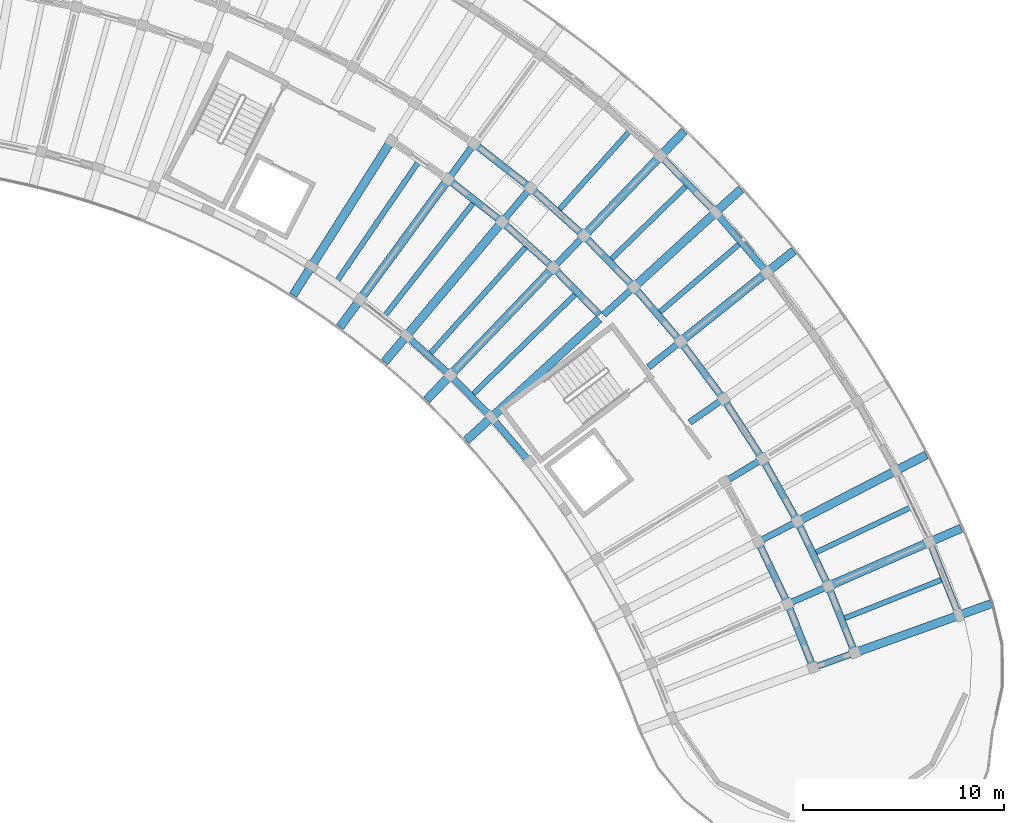
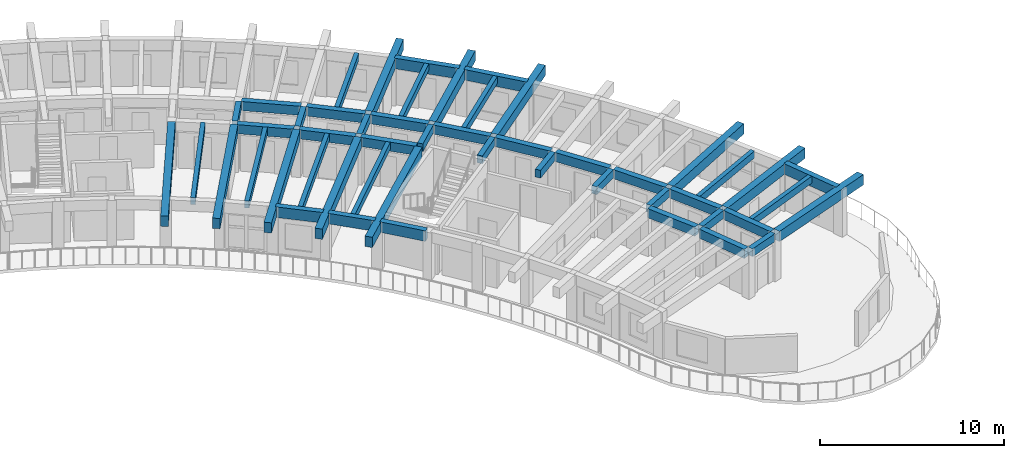
# One storey, part 27 of 83: 50 beams.
"""IFC4 building model written with IfcOpenShell, lengths in metres."""

import ifcopenshell
import ifcopenshell.guid

model = None  # the IFC model being written
_history = None  # IfcOwnerHistory: only IFC2X3 demands one
_inside = {}  # id of a spatial element -> (the spatial element, [elements in it])
_under = {}  # id of a project, library or spatial element -> (it, [spatial elements below it])
_declared = {}  # id of a project -> (the project, [libraries it declares])
_typed = {}  # id of a type object -> (the type object, [elements of that type])
_made_of = {}  # id of a material, layer set ... -> (it, [elements and type objects made of it])


def new_model(schema):
    """Start an empty IFC model of exactly this schema.

    Asked for "IFC4X3", IfcOpenShell would pick the latest addendum, in which some entities
    have other attributes; the version numbers below select the first issue.
    IFC2X3 requires an IfcOwnerHistory on every rooted entity: one is made here for all.
    """
    global model, _history
    if schema == "IFC4X3":
        model = ifcopenshell.file(schema_version=(4, 3, 0, 0))
    else:
        model = ifcopenshell.file(schema=schema)
    _inside.clear()
    _under.clear()
    _declared.clear()
    _typed.clear()
    _made_of.clear()
    _history = None
    if model.schema == "IFC2X3":
        org = make("IfcOrganization", Name="unknown")
        user = make(
            "IfcPersonAndOrganization",
            ThePerson=make("IfcPerson", FamilyName="unknown"),
            TheOrganization=org,
        )
        app = make(
            "IfcApplication",
            ApplicationDeveloper=org,
            Version="unknown",
            ApplicationFullName="unknown",
            ApplicationIdentifier="unknown",
        )
        _history = make(
            "IfcOwnerHistory",
            OwningUser=user,
            OwningApplication=app,
            ChangeAction="ADDED",
            CreationDate=0,
        )
    return model


def make(cls, **values):
    """One entity of the class cls with the attributes given. An attribute that is None is left unset."""
    return model.create_entity(
        cls, **{name: value for name, value in values.items() if value is not None}
    )


def rooted(cls, **values):
    """An entity with a GlobalId (a new one), such as an element, a storey or a relation."""
    return make(cls, GlobalId=ifcopenshell.guid.new(), OwnerHistory=_history, **values)


def si_unit(unit_type, name, prefix=None):
    """IfcSIUnit, for example si_unit("LENGTHUNIT", "METRE", prefix="MILLI")."""
    return make("IfcSIUnit", UnitType=unit_type, Prefix=prefix, Name=name)


def assignment(units):
    """IfcUnitAssignment: the units of a project."""
    return None if units is None else make("IfcUnitAssignment", Units=units)


def point(xyz):
    """IfcCartesianPoint."""
    return None if xyz is None else make("IfcCartesianPoint", Coordinates=xyz)


def direction(xyz):
    """IfcDirection."""
    return None if xyz is None else make("IfcDirection", DirectionRatios=xyz)


def frame(location, z_axis=None, x_axis=None):
    """IfcAxis2Placement3D, a coordinate frame: its origin and axes. An axis left out is left unset."""
    return make(
        "IfcAxis2Placement3D",
        Location=point(location),
        Axis=direction(z_axis),
        RefDirection=direction(x_axis),
    )


def frame_2d(location, x_axis=None):
    """IfcAxis2Placement2D, a coordinate frame in the plane: its origin and x axis."""
    return make(
        "IfcAxis2Placement2D", Location=point(location), RefDirection=direction(x_axis)
    )


def origin():
    """The frame at (0, 0, 0) with its axes left unset."""
    return frame((0.0, 0.0, 0.0))


def origin_2d():
    """The frame at (0, 0) in the plane with its x axis left unset."""
    return frame_2d((0.0, 0.0))


def place(relative_to, where):
    """IfcLocalPlacement: puts the frame where relative to a parent placement (None: the world)."""
    return make(
        "IfcLocalPlacement", PlacementRelTo=relative_to, RelativePlacement=where
    )


def context(
    kind, dimensions, precision=None, world=None, true_north=None, identifier=None
):
    """IfcGeometricRepresentationContext, for example the 3D "Model" context."""
    return make(
        "IfcGeometricRepresentationContext",
        ContextIdentifier=identifier,
        ContextType=kind,
        CoordinateSpaceDimension=dimensions,
        Precision=precision,
        WorldCoordinateSystem=world,
        TrueNorth=true_north,
    )


def subcontext(parent, identifier, kind, view, scale=None):
    """IfcGeometricRepresentationSubContext, for example "Body" below "Model"."""
    return make(
        "IfcGeometricRepresentationSubContext",
        ContextIdentifier=identifier,
        ContextType=kind,
        ParentContext=parent,
        TargetScale=scale,
        TargetView=view,
    )


def project(units=None, contexts=None):
    """IfcProject with its units and contexts."""
    return rooted(
        "IfcProject",
        Name="project",
        RepresentationContexts=contexts,
        UnitsInContext=assignment(units),
    )


def spatial(cls, under=None, at=None, **own):
    """A site, building, storey or space (cls), placed at a placement, below another one or the project."""
    s = rooted(cls, ObjectPlacement=at, **own)
    if under is not None:
        _under.setdefault(under.id(), (under, []))[1].append(s)
    return s


def profile(cls, at=None, kind="AREA", **sizes):
    """A parametric profile (cls). Its sizes go by their IFC names, for example OverallWidth=200.0."""
    return make(cls, ProfileType=kind, Position=at, **sizes)


def rectangle(**sizes):
    """IfcRectangleProfileDef."""
    return profile("IfcRectangleProfileDef", **sizes)


def extrude(swept, where, along, depth):
    """IfcExtrudedAreaSolid: the profile swept, set in the frame where, extruded along a direction by depth."""
    return make(
        "IfcExtrudedAreaSolid",
        SweptArea=swept,
        Position=where,
        ExtrudedDirection=direction(along),
        Depth=depth,
    )


def shape(context_of_items, identifier, shape_type, items):
    """IfcShapeRepresentation: the items that make up one representation, for example the "Body"."""
    return make(
        "IfcShapeRepresentation",
        ContextOfItems=context_of_items,
        RepresentationIdentifier=identifier,
        RepresentationType=shape_type,
        Items=items,
    )


def material(Name=None, Category=None):
    """IfcMaterial."""
    return make("IfcMaterial", Name=Name, Category=Category)


def material_profile(
    of_material, cross_section, Name=None, Category=None, Priority=None
):
    """IfcMaterialProfile: a cross section and its material."""
    return make(
        "IfcMaterialProfile",
        Name=Name,
        Material=of_material,
        Profile=cross_section,
        Priority=Priority,
        Category=Category,
    )


def profile_set(profiles, Name=None, composite=None):
    """IfcMaterialProfileSet."""
    return make(
        "IfcMaterialProfileSet",
        Name=Name,
        MaterialProfiles=profiles,
        CompositeProfile=composite,
    )


def made_of(thing, what):
    """Note that an element or type object is made of a material, layer set ...; save() writes the relation."""
    if what is not None:
        _made_of.setdefault(what.id(), (what, []))[1].append(thing)
    return thing


def type_object(cls, material=None, **own):
    """A type object (cls), such as IfcWallType, which elements share."""
    return made_of(rooted(cls, **own), material)


def element(
    cls,
    number,
    at=None,
    inside=None,
    cuts=None,
    type_object=None,
    material=None,
    context=None,
    identifier="Body",
    shape_type=None,
    held_by="IfcProductDefinitionShape",
    body=None,
    shapes=None,
    **own,
):
    """One element of the class cls, such as IfcWall. Its Tag is "e" and its number.

    at: its placement. inside: the storey or other place that contains it. cuts: it is an
    opening in that element (IfcRelVoidsElement). A single representation is given by context,
    identifier, shape_type and body (its items); several are given by shapes. held_by: the class
    of the entity that holds the representations. save() writes the other relations.
    """
    e = rooted(cls, Tag="e%d" % number, ObjectPlacement=at, **own)
    if body is not None:
        shapes = [shape(context, identifier, shape_type, body)]
    if shapes is not None:
        e.Representation = make(held_by, Representations=shapes)
    if inside is not None:
        _inside.setdefault(inside.id(), (inside, []))[1].append(e)
    if cuts is not None:
        rooted(
            "IfcRelVoidsElement", RelatingBuildingElement=cuts, RelatedOpeningElement=e
        )
    if type_object is not None:
        _typed.setdefault(type_object.id(), (type_object, []))[1].append(e)
    return made_of(e, material)


def aggregate(whole, parts):
    """IfcRelAggregates: a whole, such as a stair, and the parts it consists of."""
    return rooted("IfcRelAggregates", RelatingObject=whole, RelatedObjects=parts)


def save(model, path):
    """Write the relations noted so far, then the file.

    IfcRelAggregates (storeys below a building ...), IfcRelContainedInSpatialStructure (elements
    in a storey), IfcRelDefinesByType, IfcRelAssociatesMaterial and IfcRelDeclares: one each for
    every whole, place, type object, material and project.
    """
    for whole, parts in _under.values():
        aggregate(whole, parts)
    for where, things in _inside.values():
        rooted(
            "IfcRelContainedInSpatialStructure",
            RelatedElements=things,
            RelatingStructure=where,
        )
    for kind, things in _typed.values():
        rooted("IfcRelDefinesByType", RelatedObjects=things, RelatingType=kind)
    for what, things in _made_of.values():
        rooted("IfcRelAssociatesMaterial", RelatedObjects=things, RelatingMaterial=what)
    for by, libraries in _declared.values():
        rooted("IfcRelDeclares", RelatingContext=by, RelatedDefinitions=libraries)
    model.write(path)


model = new_model("IFC4")

# Units and contexts
model_context = context("Model", 3, precision=1e-05, world=origin(), true_north=direction((0.0, 1.0)))
body_context = subcontext(model_context, "Body", "Model", "MODEL_VIEW")
ifc_project = project(units=[si_unit("LENGTHUNIT", "METRE"), si_unit("AREAUNIT", "SQUARE_METRE"), si_unit("VOLUMEUNIT", "CUBIC_METRE"), si_unit("PLANEANGLEUNIT", "RADIAN"), si_unit("MASSUNIT", "GRAM", prefix="KILO")], contexts=[model_context])

# Site, building, storey
site_placement = place(None, origin())
site = spatial("IfcSite", under=ifc_project, at=site_placement, CompositionType="ELEMENT")
building_placement = place(site_placement, origin())
building = spatial("IfcBuilding", under=site, at=building_placement, Name="Tanwirah Colonnade Gardens", CompositionType="ELEMENT")
storey_placement = place(building_placement, frame((0.0, 0.0, 25.639892578125)))
storey = spatial("IfcBuildingStorey", under=building, at=storey_placement, Name="L07", CompositionType="ELEMENT", Elevation=25.639892578125)

# Beams
ifc_material_1 = material(Name="Precast concrete C40/50", Category="concrete")
ifc_material_profile_1 = material_profile(ifc_material_1, rectangle(XDim=0.320068359375, YDim=0.52001953125, at=origin_2d()), Name="PC-BM 320x520")
ifc_profile_set_1 = profile_set([ifc_material_profile_1], Name="Precast concrete C40/50")
beam_type_1 = type_object("IfcBeamType", Name="BM-PC320", PredefinedType="BEAM", material=ifc_profile_set_1)
for number, where, z_axis, x_axis, name in (
    (1, (169.9326171875, 77.79541015625, 2.85009765625), (0.941021664552, 0.338346311999, 0.0), (-0.338346311999, 0.941021664552, 0.0), "Block B L07 Corridor Tie Beam 1"),
    (2, (168.6669921875, 80.981201171875, 2.85009765625), (0.916681481826, 0.399618644306, 0.0), (-0.399618644306, 0.916681481826, 0.0), "Block B L07 Corridor Tie Beam 2"),
):
    element("IfcBeam", number, at=place(storey_placement, frame(where, z_axis=z_axis, x_axis=x_axis)), inside=storey, type_object=beam_type_1, Name=name, PredefinedType="BEAM", context=body_context, shape_type="SweptSolid", body=[
        extrude(rectangle(XDim=0.320068359375, YDim=0.52001953125, at=origin_2d()), origin(), (0.0, 0.0, 1.0), 1.89990234375),
    ])
beam_1_placement = place(storey_placement, frame((167.194091796875, 84.07666015625, 2.85009765625), z_axis=(0.888385730697, 0.459097803844, 0.0), x_axis=(-0.459097803844, 0.888385730697, 0.0)))
element("IfcBeam", 3, at=beam_1_placement, inside=storey, type_object=beam_type_1, Name="Block B L07 Corridor Tie Beam 3", PredefinedType="BEAM", context=body_context, shape_type="SweptSolid", body=[
    extrude(rectangle(XDim=0.320068359375, YDim=0.52001953125, at=origin_2d()), origin(), (0.0, 0.0, 1.0), 1.900146484375),
])
for number, where, z_axis, x_axis, name in (
    (4, (165.520751953125, 87.068359375, 2.85009765625), (0.856174920318, 0.516686080534, 0.0), (-0.516686080534, 0.856174920318, 0.0), "Block B L07 Corridor Tie Beam 4"),
    (5, (163.653564453125, 89.943359375, 2.85009765625), (0.820305001782, 0.571926309983, 0.0), (-0.571926309983, 0.820305001782, 0.0), "Block B L07 Corridor Tie Beam 5"),
    (6, (161.601318359375, 92.68896484375, 2.85009765625), (0.78073089418, 0.624867402633, 0.0), (-0.624867402633, 0.78073089418, 0.0), "Block B L07 Corridor Tie Beam 6"),
    (7, (159.37255859375, 95.29345703125, 2.85009765625), (0.737948361517, 0.674857181732, 0.0), (-0.674857181732, 0.737948361517, 0.0), "Block B L07 Corridor Tie Beam 7"),
):
    element("IfcBeam", number, at=place(storey_placement, frame(where, z_axis=z_axis, x_axis=x_axis)), inside=storey, type_object=beam_type_1, Name=name, PredefinedType="BEAM", context=body_context, shape_type="SweptSolid", body=[
        extrude(rectangle(XDim=0.320068359375, YDim=0.52001953125, at=origin_2d()), origin(), (0.0, 0.0, 1.0), 1.89990234375),
    ])
beam_2_placement = place(storey_placement, frame((156.976806640625, 97.74560546875, 2.85009765625), z_axis=(0.691913735329, 0.721980181766, 0.0), x_axis=(-0.721980181766, 0.691913735329, 0.0)))
element("IfcBeam", 8, at=beam_2_placement, inside=storey, type_object=beam_type_1, Name="Block B L07 Corridor Tie Beam 8", PredefinedType="BEAM", context=body_context, shape_type="SweptSolid", body=[
    extrude(rectangle(XDim=0.320068359375, YDim=0.52001953125, at=origin_2d()), origin(), (0.0, 0.0, 1.0), 1.900146484375),
])
beam_3_placement = place(storey_placement, frame((154.425048828125, 100.034423828125, 2.85009765625), z_axis=(0.642797194343, 0.766036400535, 0.0), x_axis=(-0.766036400535, 0.642797194343, 0.0)))
element("IfcBeam", 9, at=beam_3_placement, inside=storey, type_object=beam_type_1, Name="Block B L07 Corridor Tie Beam 9", PredefinedType="BEAM", context=body_context, shape_type="SweptSolid", body=[
    extrude(rectangle(XDim=0.320068359375, YDim=0.52001953125, at=origin_2d()), origin(), (0.0, 0.0, 1.0), 1.89990234375),
])
beam_4_placement = place(storey_placement, frame((151.727783203125, 102.14990234375, 2.85009765625), z_axis=(0.590895676149, 0.806747977939, 0.0), x_axis=(-0.806747977939, 0.590895676149, 0.0)))
element("IfcBeam", 10, at=beam_4_placement, inside=storey, type_object=beam_type_1, Name="Block B L07 Corridor Tie Beam 10", PredefinedType="BEAM", context=body_context, shape_type="SweptSolid", body=[
    extrude(rectangle(XDim=0.320068359375, YDim=0.52001953125, at=origin_2d()), origin(), (0.0, 0.0, 1.0), 1.900146484375),
])
ifc_material_profile_2 = material_profile(ifc_material_1, rectangle(XDim=0.35009765625, YDim=0.60009765625, at=origin_2d()), Name="PC-BM 350x600")
ifc_profile_set_2 = profile_set([ifc_material_profile_2], Name="Precast concrete C40/50")
beam_type_2 = type_object("IfcBeamType", Name="BM-PC350B", PredefinedType="BEAM", material=ifc_profile_set_2)
beam_5_placement = place(storey_placement, frame((169.736083984375, 77.884033203125, 2.81005859375), z_axis=(-0.369189105832, 0.929354294193, 0.0), x_axis=(-0.929354294193, -0.369189105832, 0.0)))
element("IfcBeam", 11, at=beam_5_placement, inside=storey, type_object=beam_type_2, Name="Block B L07 Circumferential Beam 1-R1", PredefinedType="BEAM", context=body_context, shape_type="SweptSolid", body=[
    extrude(rectangle(XDim=0.35009765625, YDim=0.60009765625, at=origin_2d()), origin(), (0.0, 0.0, 1.0), 3.117919921875),
])
beam_6_placement = place(storey_placement, frame((171.806396484375, 78.62841796875, 2.81005859375), z_axis=(-0.369209712056, 0.929346108037, 0.0), x_axis=(-0.929346108037, -0.369209712056, 0.0)))
element("IfcBeam", 12, at=beam_6_placement, inside=storey, type_object=beam_type_2, Name="Block B L07 Circumferential Beam 1-R2", PredefinedType="BEAM", context=body_context, shape_type="SweptSolid", body=[
    extrude(rectangle(XDim=0.35009765625, YDim=0.60009765625, at=origin_2d()), origin(), (0.0, 0.0, 1.0), 3.26318359375),
])
beam_7_placement = place(storey_placement, frame((168.465087890625, 81.056640625, 2.81005859375), z_axis=(-0.429620507728, 0.903009534468, 0.0), x_axis=(-0.903009534468, -0.429620507728, 0.0)))
element("IfcBeam", 13, at=beam_7_placement, inside=storey, type_object=beam_type_2, Name="Block B L07 Circumferential Beam 2-R1", PredefinedType="BEAM", context=body_context, shape_type="SweptSolid", body=[
    extrude(rectangle(XDim=0.35009765625, YDim=0.60009765625, at=origin_2d()), origin(), (0.0, 0.0, 1.0), 3.1181640625),
])
beam_8_placement = place(storey_placement, frame((170.481689453125, 81.935791015625, 2.81005859375), z_axis=(-0.4295908638, 0.90302363742, 0.0), x_axis=(-0.90302363742, -0.4295908638, 0.0)))
element("IfcBeam", 14, at=beam_8_placement, inside=storey, type_object=beam_type_2, Name="Block B L07 Circumferential Beam 2-R2", PredefinedType="BEAM", context=body_context, shape_type="SweptSolid", body=[
    extrude(rectangle(XDim=0.35009765625, YDim=0.60009765625, at=origin_2d()), origin(), (0.0, 0.0, 1.0), 3.26318359375),
])
for number, where, z_axis, x_axis, name in (
    (15, (168.942138671875, 85.14892578125, 2.81005859375), (-0.488213717102, 0.87272410671, 0.0), (-0.87272410671, -0.488213717102, 0.0), "Block B L07 Circumferential Beam 3-R2"),
    (16, (167.194091796875, 88.25341796875, 2.81005859375), (-0.544627998385, 0.838677735114, 0.0), (-0.838677735114, -0.544627998385, 0.0), "Block B L07 Circumferential Beam 4-R2"),
    (17, (165.245361328125, 91.236083984375, 2.81005859375), (-0.59871829396, 0.800959677186, 0.0), (-0.800959677186, -0.59871829396, 0.0), "Block B L07 Circumferential Beam 5-R2"),
):
    element("IfcBeam", number, at=place(storey_placement, frame(where, z_axis=z_axis, x_axis=x_axis)), inside=storey, type_object=beam_type_2, Name=name, PredefinedType="BEAM", context=body_context, shape_type="SweptSolid", body=[
        extrude(rectangle(XDim=0.35009765625, YDim=0.60009765625, at=origin_2d()), origin(), (0.0, 0.0, 1.0), 3.262939453125),
    ])
beam_9_placement = place(storey_placement, frame((163.1044921875, 94.083740234375, 2.81005859375), z_axis=(-0.650218192342, 0.759747525398, 0.0), x_axis=(-0.759747525398, -0.650218192342, 0.0)))
element("IfcBeam", 18, at=beam_9_placement, inside=storey, type_object=beam_type_2, Name="Block B L07 Circumferential Beam 6-R2", PredefinedType="BEAM", context=body_context, shape_type="SweptSolid", body=[
    extrude(rectangle(XDim=0.35009765625, YDim=0.60009765625, at=origin_2d()), origin(), (0.0, 0.0, 1.0), 3.26318359375),
])
beam_10_placement = place(storey_placement, frame((159.156982421875, 95.299560546875, 2.81005859375), z_axis=(-0.698837366631, 0.715280598787, 0.0), x_axis=(-0.715280598787, -0.698837366631, 0.0)))
element("IfcBeam", 19, at=beam_10_placement, inside=storey, type_object=beam_type_2, Name="Block B L07 Circumferential Beam 7-R1", PredefinedType="BEAM", context=body_context, shape_type="SweptSolid", body=[
    extrude(rectangle(XDim=0.35009765625, YDim=0.60009765625, at=origin_2d()), origin(), (0.0, 0.0, 1.0), 3.117919921875),
])
beam_11_placement = place(storey_placement, frame((160.780517578125, 96.7841796875, 2.81005859375), z_axis=(-0.698829447339, 0.71528833594, 0.0), x_axis=(-0.71528833594, -0.698829447339, 0.0)))
element("IfcBeam", 20, at=beam_11_placement, inside=storey, type_object=beam_type_2, Name="Block B L07 Circumferential Beam 7-R2", PredefinedType="BEAM", context=body_context, shape_type="SweptSolid", body=[
    extrude(rectangle(XDim=0.35009765625, YDim=0.60009765625, at=origin_2d()), origin(), (0.0, 0.0, 1.0), 3.263427734375),
])
beam_12_placement = place(storey_placement, frame((156.761474609375, 97.7373046875, 2.81005859375), z_axis=(-0.744429866059, 0.667700662363, 0.0), x_axis=(-0.667700662363, -0.744429866059, 0.0)))
element("IfcBeam", 21, at=beam_12_placement, inside=storey, type_object=beam_type_2, Name="Block B L07 Circumferential Beam 8-R1", PredefinedType="BEAM", context=body_context, shape_type="SweptSolid", body=[
    extrude(rectangle(XDim=0.35009765625, YDim=0.60009765625, at=origin_2d()), origin(), (0.0, 0.0, 1.0), 3.1181640625),
])
beam_13_placement = place(storey_placement, frame((158.283447265625, 99.32568359375, 2.81005859375), z_axis=(-0.744409136578, 0.667723773262, 0.0), x_axis=(-0.667723773262, -0.744409136578, 0.0)))
element("IfcBeam", 22, at=beam_13_placement, inside=storey, type_object=beam_type_2, Name="Block B L07 Circumferential Beam 8-R2", PredefinedType="BEAM", context=body_context, shape_type="SweptSolid", body=[
    extrude(rectangle(XDim=0.35009765625, YDim=0.60009765625, at=origin_2d()), origin(), (0.0, 0.0, 1.0), 3.26318359375),
])
beam_14_placement = place(storey_placement, frame((154.21044921875, 100.011962890625, 2.81005859375), z_axis=(-0.78679899272, 0.617209320292, 0.0), x_axis=(-0.617209320292, -0.78679899272, 0.0)))
element("IfcBeam", 23, at=beam_14_placement, inside=storey, type_object=beam_type_2, Name="Block B L07 Circumferential Beam 9-R1", PredefinedType="BEAM", context=body_context, shape_type="SweptSolid", body=[
    extrude(rectangle(XDim=0.35009765625, YDim=0.60009765625, at=origin_2d()), origin(), (0.0, 0.0, 1.0), 3.1181640625),
])
beam_15_placement = place(storey_placement, frame((155.624755859375, 101.697265625, 2.81005859375), z_axis=(-0.786839882256, 0.617157192044, 0.0), x_axis=(-0.617157192044, -0.786839882256, 0.0)))
element("IfcBeam", 24, at=beam_15_placement, inside=storey, type_object=beam_type_2, Name="Block B L07 Circumferential Beam 9-R2", PredefinedType="BEAM", context=body_context, shape_type="SweptSolid", body=[
    extrude(rectangle(XDim=0.35009765625, YDim=0.60009765625, at=origin_2d()), origin(), (0.0, 0.0, 1.0), 3.26318359375),
])
ifc_material_2 = material(Name="Precast concrete C45/55", Category="concrete")
ifc_material_profile_3 = material_profile(ifc_material_2, rectangle(XDim=0.419921875, YDim=0.679931640625, at=origin_2d()), Name="PC-BM 420x680")
ifc_profile_set_3 = profile_set([ifc_material_profile_3], Name="Precast concrete C45/55")
beam_type_3 = type_object("IfcBeamType", Name="BM-PC420", PredefinedType="BEAM", material=ifc_profile_set_3)
beam_16_placement = place(storey_placement, frame((172.0029296875, 78.539794921875, 2.77001953125), z_axis=(0.941011841171, 0.338373631917, 0.0), x_axis=(-0.338373631917, 0.941011841171, 0.0)))
element("IfcBeam", 25, at=beam_16_placement, inside=storey, type_object=beam_type_3, Name="Block B L07 Outer Radial Precast Girder 1", PredefinedType="BEAM", context=body_context, shape_type="SweptSolid", body=[
    extrude(rectangle(XDim=0.419921875, YDim=0.679931640625, at=origin_2d()), origin(), (0.0, 0.0, 1.0), 7.0498046875),
])
beam_17_placement = place(storey_placement, frame((170.68359375, 81.8603515625, 2.77001953125), z_axis=(0.916678725612, 0.399624966702, 0.0), x_axis=(-0.399624966702, 0.916678725612, 0.0)))
element("IfcBeam", 26, at=beam_17_placement, inside=storey, type_object=beam_type_3, Name="Block B L07 Outer Radial Precast Girder 2", PredefinedType="BEAM", context=body_context, shape_type="SweptSolid", body=[
    extrude(rectangle(XDim=0.419921875, YDim=0.679931640625, at=origin_2d()), origin(), (0.0, 0.0, 1.0), 7.050048828125),
])
beam_18_placement = place(storey_placement, frame((169.148681640625, 85.0869140625, 2.77001953125), z_axis=(0.888348690665, 0.459169471758, 0.0), x_axis=(-0.459169471758, 0.888348690665, 0.0)))
element("IfcBeam", 27, at=beam_18_placement, inside=storey, type_object=beam_type_3, Name="Block B L07 Outer Radial Precast Girder 3", PredefinedType="BEAM", context=body_context, shape_type="SweptSolid", body=[
    extrude(rectangle(XDim=0.419921875, YDim=0.679931640625, at=origin_2d()), origin(), (0.0, 0.0, 1.0), 7.0498046875),
])
beam_19_placement = place(storey_placement, frame((163.319091796875, 94.0634765625, 2.77001953125), z_axis=(0.780794476885, 0.624787951921, 0.0), x_axis=(-0.624787951921, 0.780794476885, 0.0)))
element("IfcBeam", 28, at=beam_19_placement, inside=storey, type_object=beam_type_3, Name="Block B L07 Outer Radial Precast Girder 6", PredefinedType="BEAM", context=body_context, shape_type="SweptSolid", body=[
    extrude(rectangle(XDim=0.419921875, YDim=0.679931640625, at=origin_2d()), origin(), (0.0, 0.0, 1.0), 7.050048828125),
])
beam_20_placement = place(storey_placement, frame((159.151123046875, 95.091064453125, 2.77001953125), z_axis=(-0.737937205818, -0.674869380154, 0.0), x_axis=(0.674869380154, -0.737937205818, 0.0)))
element("IfcBeam", 29, at=beam_20_placement, inside=storey, type_object=beam_type_3, Name="Block B L07 Inner Radial Precast Girder 7", PredefinedType="BEAM", context=body_context, shape_type="SweptSolid", body=[
    extrude(rectangle(XDim=0.419921875, YDim=0.679931640625, at=origin_2d()), origin(), (0.0, 0.0, 1.0), 8.949951171875),
])
beam_21_placement = place(storey_placement, frame((160.995849609375, 96.7783203125, 2.77001953125), z_axis=(0.737934199263, 0.674872667663, 0.0), x_axis=(-0.674872667663, 0.737934199263, 0.0)))
element("IfcBeam", 30, at=beam_21_placement, inside=storey, type_object=beam_type_3, Name="Block B L07 Outer Radial Precast Girder 7", PredefinedType="BEAM", context=body_context, shape_type="SweptSolid", body=[
    extrude(rectangle(XDim=0.419921875, YDim=0.679931640625, at=origin_2d()), origin(), (0.0, 0.0, 1.0), 7.050048828125),
])
beam_22_placement = place(storey_placement, frame((156.769287109375, 97.52880859375, 2.77001953125), z_axis=(-0.691860926595, -0.722030787606, 0.0), x_axis=(0.722030787606, -0.691860926595, 0.0)))
element("IfcBeam", 31, at=beam_22_placement, inside=storey, type_object=beam_type_3, Name="Block B L07 Inner Radial Precast Girder 8", PredefinedType="BEAM", context=body_context, shape_type="SweptSolid", body=[
    extrude(rectangle(XDim=0.419921875, YDim=0.679931640625, at=origin_2d()), origin(), (0.0, 0.0, 1.0), 8.949951171875),
])
beam_23_placement = place(storey_placement, frame((158.4990234375, 99.333984375, 2.77001953125), z_axis=(0.691864746793, 0.722027127015, 0.0), x_axis=(-0.722027127015, 0.691864746793, 0.0)))
element("IfcBeam", 32, at=beam_23_placement, inside=storey, type_object=beam_type_3, Name="Block B L07 Outer Radial Precast Girder 8", PredefinedType="BEAM", context=body_context, shape_type="SweptSolid", body=[
    extrude(rectangle(XDim=0.419921875, YDim=0.679931640625, at=origin_2d()), origin(), (0.0, 0.0, 1.0), 7.050048828125),
])
for number, where, z_axis, x_axis, name in (
    (33, (154.232177734375, 99.804443359375, 2.77001953125), (-0.64279407932, -0.766039014406, 0.0), (0.766039014406, -0.64279407932, 0.0), "Block B L07 Inner Radial Precast Girder 9"),
    (34, (151.550537109375, 101.907958984375, 2.77001953125), (-0.590927205009, -0.806724883947, 0.0), (0.806724883947, -0.590927205009, 0.0), "Block B L07 Inner Radial Precast Girder 10"),
    (35, (148.736083984375, 103.830322265625, 2.77001953125), (-0.536483588607, -0.843910753075, 0.0), (0.843910753075, -0.536483588607, 0.0), "Block B L07 Inner Radial Precast Girder 11"),
):
    element("IfcBeam", number, at=place(storey_placement, frame(where, z_axis=z_axis, x_axis=x_axis)), inside=storey, type_object=beam_type_3, Name=name, PredefinedType="BEAM", context=body_context, shape_type="SweptSolid", body=[
        extrude(rectangle(XDim=0.419921875, YDim=0.679931640625, at=origin_2d()), origin(), (0.0, 0.0, 1.0), 8.949951171875),
    ])
ifc_material_profile_4 = material_profile(ifc_material_1, rectangle(XDim=0.260009765625, YDim=0.4599609375, at=origin_2d()), Name="PC-JST 260x460")
ifc_profile_set_4 = profile_set([ifc_material_profile_4], Name="Precast concrete C40/50")
beam_type_4 = type_object("IfcBeamType", Name="JST-PC260", PredefinedType="JOIST", material=ifc_profile_set_4)
beam_24_placement = place(storey_placement, frame((171.3427734375, 80.199951171875, 2.880126953125), z_axis=(0.929357539836, 0.369180935517, 0.0), x_axis=(-0.369180935517, 0.929357539836, 0.0)))
element("IfcBeam", 36, at=beam_24_placement, inside=storey, type_object=beam_type_4, Name="Block B L07 Precast Floor Joist 1", PredefinedType="JOIST", context=body_context, shape_type="SweptSolid", body=[
    extrude(rectangle(XDim=0.260009765625, YDim=0.4599609375, at=origin_2d()), origin(), (0.0, 0.0, 1.0), 5.260009765625),
])
for number, where, z_axis, x_axis, name in (
    (37, (169.91552734375, 83.473388671875, 2.880126953125), (0.903018314862, 0.429602051931, 0.0), (-0.429602051931, 0.903018314862, 0.0), "Block B L07 Precast Floor Joist 2"),
    (38, (162.156982421875, 95.42041015625, 2.880126953125), (0.759770723643, 0.65019108537, 0.0), (-0.65019108537, 0.759770723643, 0.0), "Block B L07 Precast Floor Joist 6"),
):
    element("IfcBeam", number, at=place(storey_placement, frame(where, z_axis=z_axis, x_axis=x_axis)), inside=storey, type_object=beam_type_4, Name=name, PredefinedType="JOIST", context=body_context, shape_type="SweptSolid", body=[
        extrude(rectangle(XDim=0.260009765625, YDim=0.4599609375, at=origin_2d()), origin(), (0.0, 0.0, 1.0), 5.26025390625),
    ])
beam_25_placement = place(storey_placement, frame((159.7470703125, 98.0556640625, 2.880126953125), z_axis=(0.715297399369, 0.698820170327, 0.0), x_axis=(-0.698820170327, 0.715297399369, 0.0)))
element("IfcBeam", 39, at=beam_25_placement, inside=storey, type_object=beam_type_4, Name="Block B L07 Precast Floor Joist 7", PredefinedType="JOIST", context=body_context, shape_type="SweptSolid", body=[
    extrude(rectangle(XDim=0.260009765625, YDim=0.4599609375, at=origin_2d()), origin(), (0.0, 0.0, 1.0), 5.260009765625),
])
beam_26_placement = place(storey_placement, frame((152.88037109375, 91.346923828125, 2.880126953125), z_axis=(0.715276680509, 0.698841377081, 0.0), x_axis=(-0.698841377081, 0.715276680509, 0.0)))
element("IfcBeam", 40, at=beam_26_placement, inside=storey, type_object=beam_type_4, Name="Block B L07 Inner Precast Floor Joist 7", PredefinedType="JOIST", context=body_context, shape_type="SweptSolid", body=[
    extrude(rectangle(XDim=0.260009765625, YDim=0.4599609375, at=origin_2d()), origin(), (0.0, 0.0, 1.0), 7.159912109375),
])
beam_27_placement = place(storey_placement, frame((157.168701171875, 100.5263671875, 2.880126953125), z_axis=(0.667678987176, 0.744449306591, 0.0), x_axis=(-0.744449306591, 0.667678987176, 0.0)))
element("IfcBeam", 41, at=beam_27_placement, inside=storey, type_object=beam_type_4, Name="Block B L07 Precast Floor Joist 8", PredefinedType="JOIST", context=body_context, shape_type="SweptSolid", body=[
    extrude(rectangle(XDim=0.260009765625, YDim=0.4599609375, at=origin_2d()), origin(), (0.0, 0.0, 1.0), 5.260009765625),
])
beam_28_placement = place(storey_placement, frame((150.7587890625, 93.379638671875, 2.880126953125), z_axis=(0.667688404274, 0.744440860511, 0.0), x_axis=(-0.744440860511, 0.667688404274, 0.0)))
element("IfcBeam", 42, at=beam_28_placement, inside=storey, type_object=beam_type_4, Name="Block B L07 Inner Precast Floor Joist 8", PredefinedType="JOIST", context=body_context, shape_type="SweptSolid", body=[
    extrude(rectangle(XDim=0.260009765625, YDim=0.4599609375, at=origin_2d()), origin(), (0.0, 0.0, 1.0), 7.16015625),
])
for number, where, z_axis, x_axis, name in (
    (43, (148.508056640625, 95.268310546875, 2.880126953125), (0.617202438917, 0.786804390808, 0.0), (-0.786804390808, 0.617202438917, 0.0), "Block B L07 Inner Precast Floor Joist 9"),
    (44, (146.1376953125, 97.004638671875, 2.880126953125), (0.564021195806, 0.825760310672, 0.0), (-0.825760310672, 0.564021195806, 0.0), "Block B L07 Inner Precast Floor Joist 10"),
):
    element("IfcBeam", number, at=place(storey_placement, frame(where, z_axis=z_axis, x_axis=x_axis)), inside=storey, type_object=beam_type_4, Name=name, PredefinedType="JOIST", context=body_context, shape_type="SweptSolid", body=[
        extrude(rectangle(XDim=0.260009765625, YDim=0.4599609375, at=origin_2d()), origin(), (0.0, 0.0, 1.0), 7.159912109375),
    ])
ifc_material_profile_5 = material_profile(ifc_material_1, rectangle(XDim=0.3349609375, YDim=0.695068359375, at=origin_2d()), Name="PC-SP 335x695")
ifc_profile_set_5 = profile_set([ifc_material_profile_5], Name="Precast concrete C40/50")
beam_type_5 = type_object("IfcBeamType", Name="SP-PC300", PredefinedType="SPANDREL", material=ifc_profile_set_5)
beam_29_placement = place(storey_placement, frame((176.98193359375, 80.489501953125, 2.7626953125), z_axis=(-0.369195460985, 0.929351769562, 0.0), x_axis=(-0.929351769562, -0.369195460985, 0.0)))
element("IfcBeam", 45, at=beam_29_placement, inside=storey, type_object=beam_type_5, Name="Block B L07 Circumferential Beam 1-R3", PredefinedType="SPANDREL", context=body_context, shape_type="SweptSolid", body=[
    extrude(rectangle(XDim=0.3349609375, YDim=0.695068359375, at=origin_2d()), origin(), (0.0, 0.0, 1.0), 3.625732421875),
])
beam_30_placement = place(storey_placement, frame((155.60888671875, 88.0859375, 2.7626953125), z_axis=(-0.650217875778, 0.759747796323, 0.0), x_axis=(-0.759747796323, -0.650217875778, 0.0)))
element("IfcBeam", 46, at=beam_30_placement, inside=storey, type_object=beam_type_5, Name="Block B L07 Circumferential Beam 6-R0", PredefinedType="SPANDREL", context=body_context, shape_type="SweptSolid", body=[
    extrude(rectangle(XDim=0.3349609375, YDim=0.695068359375, at=origin_2d()), origin(), (0.0, 0.0, 1.0), 2.630126953125),
])
beam_31_placement = place(storey_placement, frame((167.398681640625, 97.52001953125, 2.7626953125), z_axis=(-0.650170105297, 0.759788677317, 0.0), x_axis=(-0.759788677317, -0.650170105297, 0.0)))
element("IfcBeam", 47, at=beam_31_placement, inside=storey, type_object=beam_type_5, Name="Block B L07 Circumferential Beam 6-R3", PredefinedType="SPANDREL", context=body_context, shape_type="SweptSolid", body=[
    extrude(rectangle(XDim=0.3349609375, YDim=0.695068359375, at=origin_2d()), origin(), (0.0, 0.0, 1.0), 3.625732421875),
])
beam_32_placement = place(storey_placement, frame((153.6962890625, 90.305419921875, 2.7626953125), z_axis=(-0.698844462704, 0.715273665772, 0.0), x_axis=(-0.715273665772, -0.698844462704, 0.0)))
element("IfcBeam", 48, at=beam_32_placement, inside=storey, type_object=beam_type_5, Name="Block B L07 Circumferential Beam 7-R0", PredefinedType="SPANDREL", context=body_context, shape_type="SweptSolid", body=[
    extrude(rectangle(XDim=0.3349609375, YDim=0.695068359375, at=origin_2d()), origin(), (0.0, 0.0, 1.0), 2.630126953125),
])
beam_33_placement = place(storey_placement, frame((164.839111328125, 100.49609375, 2.7626953125), z_axis=(-0.698844493997, 0.715273635199, 0.0), x_axis=(-0.715273635199, -0.698844493997, 0.0)))
element("IfcBeam", 49, at=beam_33_placement, inside=storey, type_object=beam_type_5, Name="Block B L07 Circumferential Beam 7-R3", PredefinedType="SPANDREL", context=body_context, shape_type="SweptSolid", body=[
    extrude(rectangle(XDim=0.3349609375, YDim=0.695068359375, at=origin_2d()), origin(), (0.0, 0.0, 1.0), 3.6259765625),
])
beam_34_placement = place(storey_placement, frame((151.6416015625, 92.394287109375, 2.7626953125), z_axis=(-0.744400790288, 0.667733077972, 0.0), x_axis=(-0.667733077972, -0.744400790288, 0.0)))
element("IfcBeam", 50, at=beam_34_placement, inside=storey, type_object=beam_type_5, Name="Block B L07 Circumferential Beam 8-R0", PredefinedType="SPANDREL", context=body_context, shape_type="SweptSolid", body=[
    extrude(rectangle(XDim=0.3349609375, YDim=0.695068359375, at=origin_2d()), origin(), (0.0, 0.0, 1.0), 2.63037109375),
])

save(model, "model.ifc")
